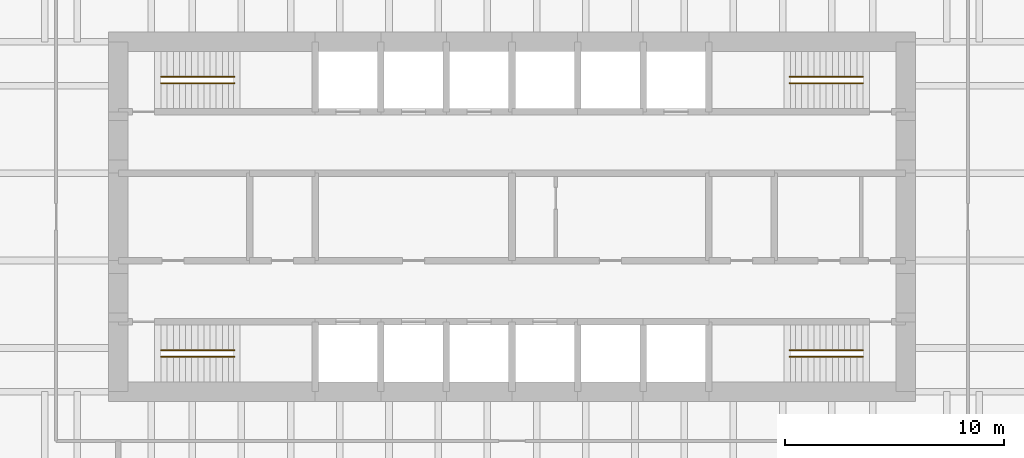
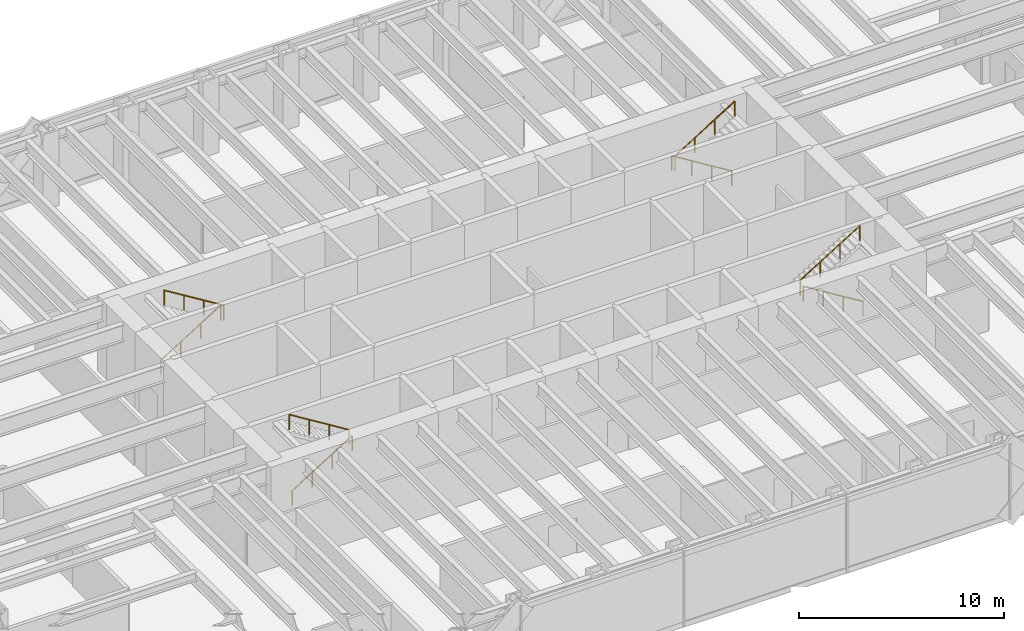
# One storey, part 13 of 13: 8 railings.
"""IFC4 building model written with IfcOpenShell, lengths in metres."""

import ifcopenshell
import ifcopenshell.guid

model = None  # the IFC model being written
_history = None  # IfcOwnerHistory: only IFC2X3 demands one
_inside = {}  # id of a spatial element -> (the spatial element, [elements in it])
_under = {}  # id of a project, library or spatial element -> (it, [spatial elements below it])
_declared = {}  # id of a project -> (the project, [libraries it declares])
_typed = {}  # id of a type object -> (the type object, [elements of that type])
_made_of = {}  # id of a material, layer set ... -> (it, [elements and type objects made of it])


def new_model(schema):
    """Start an empty IFC model of exactly this schema.

    Asked for "IFC4X3", IfcOpenShell would pick the latest addendum, in which some entities
    have other attributes; the version numbers below select the first issue.
    IFC2X3 requires an IfcOwnerHistory on every rooted entity: one is made here for all.
    """
    global model, _history
    if schema == "IFC4X3":
        model = ifcopenshell.file(schema_version=(4, 3, 0, 0))
    else:
        model = ifcopenshell.file(schema=schema)
    _inside.clear()
    _under.clear()
    _declared.clear()
    _typed.clear()
    _made_of.clear()
    _history = None
    if model.schema == "IFC2X3":
        org = make("IfcOrganization", Name="unknown")
        user = make(
            "IfcPersonAndOrganization",
            ThePerson=make("IfcPerson", FamilyName="unknown"),
            TheOrganization=org,
        )
        app = make(
            "IfcApplication",
            ApplicationDeveloper=org,
            Version="unknown",
            ApplicationFullName="unknown",
            ApplicationIdentifier="unknown",
        )
        _history = make(
            "IfcOwnerHistory",
            OwningUser=user,
            OwningApplication=app,
            ChangeAction="ADDED",
            CreationDate=0,
        )
    return model


def make(cls, **values):
    """One entity of the class cls with the attributes given. An attribute that is None is left unset."""
    return model.create_entity(
        cls, **{name: value for name, value in values.items() if value is not None}
    )


def rooted(cls, **values):
    """An entity with a GlobalId (a new one), such as an element, a storey or a relation."""
    return make(cls, GlobalId=ifcopenshell.guid.new(), OwnerHistory=_history, **values)


def si_unit(unit_type, name, prefix=None):
    """IfcSIUnit, for example si_unit("LENGTHUNIT", "METRE", prefix="MILLI")."""
    return make("IfcSIUnit", UnitType=unit_type, Prefix=prefix, Name=name)


def assignment(units):
    """IfcUnitAssignment: the units of a project."""
    return None if units is None else make("IfcUnitAssignment", Units=units)


def point(xyz):
    """IfcCartesianPoint."""
    return None if xyz is None else make("IfcCartesianPoint", Coordinates=xyz)


def direction(xyz):
    """IfcDirection."""
    return None if xyz is None else make("IfcDirection", DirectionRatios=xyz)


def frame(location, z_axis=None, x_axis=None):
    """IfcAxis2Placement3D, a coordinate frame: its origin and axes. An axis left out is left unset."""
    return make(
        "IfcAxis2Placement3D",
        Location=point(location),
        Axis=direction(z_axis),
        RefDirection=direction(x_axis),
    )


def frame_2d(location, x_axis=None):
    """IfcAxis2Placement2D, a coordinate frame in the plane: its origin and x axis."""
    return make(
        "IfcAxis2Placement2D", Location=point(location), RefDirection=direction(x_axis)
    )


def origin():
    """The frame at (0, 0, 0) with its axes left unset."""
    return frame((0.0, 0.0, 0.0))


def origin_2d():
    """The frame at (0, 0) in the plane with its x axis left unset."""
    return frame_2d((0.0, 0.0))


def place(relative_to, where):
    """IfcLocalPlacement: puts the frame where relative to a parent placement (None: the world)."""
    return make(
        "IfcLocalPlacement", PlacementRelTo=relative_to, RelativePlacement=where
    )


def context(
    kind, dimensions, precision=None, world=None, true_north=None, identifier=None
):
    """IfcGeometricRepresentationContext, for example the 3D "Model" context."""
    return make(
        "IfcGeometricRepresentationContext",
        ContextIdentifier=identifier,
        ContextType=kind,
        CoordinateSpaceDimension=dimensions,
        Precision=precision,
        WorldCoordinateSystem=world,
        TrueNorth=true_north,
    )


def subcontext(parent, identifier, kind, view, scale=None):
    """IfcGeometricRepresentationSubContext, for example "Body" below "Model"."""
    return make(
        "IfcGeometricRepresentationSubContext",
        ContextIdentifier=identifier,
        ContextType=kind,
        ParentContext=parent,
        TargetScale=scale,
        TargetView=view,
    )


def project(units=None, contexts=None):
    """IfcProject with its units and contexts."""
    return rooted(
        "IfcProject",
        Name="project",
        RepresentationContexts=contexts,
        UnitsInContext=assignment(units),
    )


def spatial(cls, under=None, at=None, **own):
    """A site, building, storey or space (cls), placed at a placement, below another one or the project."""
    s = rooted(cls, ObjectPlacement=at, **own)
    if under is not None:
        _under.setdefault(under.id(), (under, []))[1].append(s)
    return s


def profile(cls, at=None, kind="AREA", **sizes):
    """A parametric profile (cls). Its sizes go by their IFC names, for example OverallWidth=200.0."""
    return make(cls, ProfileType=kind, Position=at, **sizes)


def circle(**sizes):
    """IfcCircleProfileDef."""
    return profile("IfcCircleProfileDef", **sizes)


def extrude(swept, where, along, depth):
    """IfcExtrudedAreaSolid: the profile swept, set in the frame where, extruded along a direction by depth."""
    return make(
        "IfcExtrudedAreaSolid",
        SweptArea=swept,
        Position=where,
        ExtrudedDirection=direction(along),
        Depth=depth,
    )


def shape(context_of_items, identifier, shape_type, items):
    """IfcShapeRepresentation: the items that make up one representation, for example the "Body"."""
    return make(
        "IfcShapeRepresentation",
        ContextOfItems=context_of_items,
        RepresentationIdentifier=identifier,
        RepresentationType=shape_type,
        Items=items,
    )


def material(Name=None, Category=None):
    """IfcMaterial."""
    return make("IfcMaterial", Name=Name, Category=Category)


def made_of(thing, what):
    """Note that an element or type object is made of a material, layer set ...; save() writes the relation."""
    if what is not None:
        _made_of.setdefault(what.id(), (what, []))[1].append(thing)
    return thing


def type_object(cls, material=None, **own):
    """A type object (cls), such as IfcWallType, which elements share."""
    return made_of(rooted(cls, **own), material)


def element(
    cls,
    number,
    at=None,
    inside=None,
    cuts=None,
    type_object=None,
    material=None,
    context=None,
    identifier="Body",
    shape_type=None,
    held_by="IfcProductDefinitionShape",
    body=None,
    shapes=None,
    **own,
):
    """One element of the class cls, such as IfcWall. Its Tag is "e" and its number.

    at: its placement. inside: the storey or other place that contains it. cuts: it is an
    opening in that element (IfcRelVoidsElement). A single representation is given by context,
    identifier, shape_type and body (its items); several are given by shapes. held_by: the class
    of the entity that holds the representations. save() writes the other relations.
    """
    e = rooted(cls, Tag="e%d" % number, ObjectPlacement=at, **own)
    if body is not None:
        shapes = [shape(context, identifier, shape_type, body)]
    if shapes is not None:
        e.Representation = make(held_by, Representations=shapes)
    if inside is not None:
        _inside.setdefault(inside.id(), (inside, []))[1].append(e)
    if cuts is not None:
        rooted(
            "IfcRelVoidsElement", RelatingBuildingElement=cuts, RelatedOpeningElement=e
        )
    if type_object is not None:
        _typed.setdefault(type_object.id(), (type_object, []))[1].append(e)
    return made_of(e, material)


def aggregate(whole, parts):
    """IfcRelAggregates: a whole, such as a stair, and the parts it consists of."""
    return rooted("IfcRelAggregates", RelatingObject=whole, RelatedObjects=parts)


def save(model, path):
    """Write the relations noted so far, then the file.

    IfcRelAggregates (storeys below a building ...), IfcRelContainedInSpatialStructure (elements
    in a storey), IfcRelDefinesByType, IfcRelAssociatesMaterial and IfcRelDeclares: one each for
    every whole, place, type object, material and project.
    """
    for whole, parts in _under.values():
        aggregate(whole, parts)
    for where, things in _inside.values():
        rooted(
            "IfcRelContainedInSpatialStructure",
            RelatedElements=things,
            RelatingStructure=where,
        )
    for kind, things in _typed.values():
        rooted("IfcRelDefinesByType", RelatedObjects=things, RelatingType=kind)
    for what, things in _made_of.values():
        rooted("IfcRelAssociatesMaterial", RelatedObjects=things, RelatingMaterial=what)
    for by, libraries in _declared.values():
        rooted("IfcRelDeclares", RelatingContext=by, RelatedDefinitions=libraries)
    model.write(path)


model = new_model("IFC4")

# Units and contexts
model_context = context("Model", 3, precision=1e-05, world=origin(), true_north=direction((0.0, 1.0)))
body_context = subcontext(model_context, "Body", "Model", "MODEL_VIEW")
ifc_project = project(units=[si_unit("LENGTHUNIT", "METRE"), si_unit("AREAUNIT", "SQUARE_METRE"), si_unit("VOLUMEUNIT", "CUBIC_METRE"), si_unit("PLANEANGLEUNIT", "RADIAN"), si_unit("MASSUNIT", "GRAM", prefix="KILO")], contexts=[model_context])

# Site, building, storey
site_placement = place(None, origin())
site = spatial("IfcSite", under=ifc_project, at=site_placement, CompositionType="ELEMENT")
building_placement = place(site_placement, origin())
building = spatial("IfcBuilding", under=site, at=building_placement, Name="Rheinbord Bourse Tower", CompositionType="ELEMENT")
storey_placement = place(building_placement, frame((0.0, 0.0, 77.0)))
storey = spatial("IfcBuildingStorey", under=building, at=storey_placement, Name="L16", CompositionType="ELEMENT", Elevation=77.0)

# Railings
ifc_material = material(Name="Steel handrail", Category="steel")
railing_type = type_object("IfcRailingType", Name="HANDRAIL 900", PredefinedType="HANDRAIL", material=ifc_material)
railing_1_placement = place(storey_placement, frame((19.949951171875, 17.60009765625, 0.173095703125)))
element("IfcRailing", 1, at=railing_1_placement, inside=storey, type_object=railing_type, Name="Handrail", PredefinedType="HANDRAIL", context=body_context, shape_type="SweptSolid", body=[
    extrude(circle(Radius=0.02392578125, at=origin_2d()), frame((0.0, 0.0, 0.8759765625), z_axis=(0.850623216509, 0.0, 0.525775754039), x_axis=(0.0, 1.0, 0.0)), (0.0, 0.0, 1.0), 3.9501953125),
    extrude(circle(Radius=0.02099609375, at=origin_2d()), origin(), (0.0, 0.0, 1.0), 0.851806640625),
    extrude(circle(Radius=0.02099609375, at=origin_2d()), frame((1.1201171875, 0.0, 0.6923828125)), (0.0, 0.0, 1.0), 0.851806640625),
    extrude(circle(Radius=0.02099609375, at=origin_2d()), frame((2.239990234375, 0.0, 1.384521484375)), (0.0, 0.0, 1.0), 0.851806640625),
    extrude(circle(Radius=0.02099609375, at=origin_2d()), frame((3.360107421875, 0.0, 2.076904296875)), (0.0, 0.0, 1.0), 0.851806640625),
])
railing_2_placement = place(storey_placement, frame((23.31005859375, 17.89990234375, 2.423095703125)))
element("IfcRailing", 2, at=railing_2_placement, inside=storey, type_object=railing_type, Name="Handrail", PredefinedType="HANDRAIL", context=body_context, shape_type="SweptSolid", body=[
    extrude(circle(Radius=0.02392578125, at=origin_2d()), frame((0.0, 0.0, 0.8759765625), z_axis=(-0.850623216509, 0.0, 0.525775754039), x_axis=(0.0, -1.0, 0.0)), (0.0, 0.0, 1.0), 3.9501953125),
    extrude(circle(Radius=0.02099609375, at=origin_2d()), origin(), (0.0, 0.0, 1.0), 0.851806640625),
    extrude(circle(Radius=0.02099609375, at=origin_2d()), frame((-1.1201171875, 0.0, 0.6923828125)), (0.0, 0.0, 1.0), 0.851806640625),
    extrude(circle(Radius=0.02099609375, at=origin_2d()), frame((-2.239990234375, 0.0, 1.384521484375)), (0.0, 0.0, 1.0), 0.851806640625),
    extrude(circle(Radius=0.02099609375, at=origin_2d()), frame((-3.360107421875, 0.0, 2.076904296875)), (0.0, 0.0, 1.0), 0.851806640625),
])
railing_3_placement = place(storey_placement, frame((19.949951171875, 30.39990234375, 0.173095703125)))
element("IfcRailing", 3, at=railing_3_placement, inside=storey, type_object=railing_type, Name="Handrail", PredefinedType="HANDRAIL", context=body_context, shape_type="SweptSolid", body=[
    extrude(circle(Radius=0.02392578125, at=origin_2d()), frame((0.0, 0.0, 0.8759765625), z_axis=(0.850623216509, 0.0, 0.525775754039), x_axis=(0.0, 1.0, 0.0)), (0.0, 0.0, 1.0), 3.9501953125),
    extrude(circle(Radius=0.02099609375, at=origin_2d()), origin(), (0.0, 0.0, 1.0), 0.851806640625),
    extrude(circle(Radius=0.02099609375, at=origin_2d()), frame((1.1201171875, 0.0, 0.6923828125)), (0.0, 0.0, 1.0), 0.851806640625),
    extrude(circle(Radius=0.02099609375, at=origin_2d()), frame((2.239990234375, 0.0, 1.384521484375)), (0.0, 0.0, 1.0), 0.851806640625),
    extrude(circle(Radius=0.02099609375, at=origin_2d()), frame((3.360107421875, 0.0, 2.076904296875)), (0.0, 0.0, 1.0), 0.851806640625),
])
for number, where, name in (
    (4, (23.31005859375, 30.10009765625, 2.423095703125), "Handrail"),
    (5, (52.050048828125, 17.60009765625, 0.173095703125), "Handrail"),
):
    element("IfcRailing", number, at=place(storey_placement, frame(where)), inside=storey, type_object=railing_type, Name=name, PredefinedType="HANDRAIL", context=body_context, shape_type="SweptSolid", body=[
        extrude(circle(Radius=0.02392578125, at=origin_2d()), frame((0.0, 0.0, 0.8759765625), z_axis=(-0.850623216509, 0.0, 0.525775754039), x_axis=(0.0, -1.0, 0.0)), (0.0, 0.0, 1.0), 3.9501953125),
        extrude(circle(Radius=0.02099609375, at=origin_2d()), origin(), (0.0, 0.0, 1.0), 0.851806640625),
        extrude(circle(Radius=0.02099609375, at=origin_2d()), frame((-1.1201171875, 0.0, 0.6923828125)), (0.0, 0.0, 1.0), 0.851806640625),
        extrude(circle(Radius=0.02099609375, at=origin_2d()), frame((-2.239990234375, 0.0, 1.384521484375)), (0.0, 0.0, 1.0), 0.851806640625),
        extrude(circle(Radius=0.02099609375, at=origin_2d()), frame((-3.360107421875, 0.0, 2.076904296875)), (0.0, 0.0, 1.0), 0.851806640625),
    ])
railing_4_placement = place(storey_placement, frame((48.68994140625, 17.89990234375, 2.423095703125)))
element("IfcRailing", 6, at=railing_4_placement, inside=storey, type_object=railing_type, Name="Handrail", PredefinedType="HANDRAIL", context=body_context, shape_type="SweptSolid", body=[
    extrude(circle(Radius=0.02392578125, at=origin_2d()), frame((0.0, 0.0, 0.8759765625), z_axis=(0.850623216509, 0.0, 0.525775754039), x_axis=(0.0, 1.0, 0.0)), (0.0, 0.0, 1.0), 3.9501953125),
    extrude(circle(Radius=0.02099609375, at=origin_2d()), origin(), (0.0, 0.0, 1.0), 0.851806640625),
    extrude(circle(Radius=0.02099609375, at=origin_2d()), frame((1.1201171875, 0.0, 0.6923828125)), (0.0, 0.0, 1.0), 0.851806640625),
    extrude(circle(Radius=0.02099609375, at=origin_2d()), frame((2.239990234375, 0.0, 1.384521484375)), (0.0, 0.0, 1.0), 0.851806640625),
    extrude(circle(Radius=0.02099609375, at=origin_2d()), frame((3.360107421875, 0.0, 2.076904296875)), (0.0, 0.0, 1.0), 0.851806640625),
])
railing_5_placement = place(storey_placement, frame((52.050048828125, 30.39990234375, 0.173095703125)))
element("IfcRailing", 7, at=railing_5_placement, inside=storey, type_object=railing_type, Name="Handrail", PredefinedType="HANDRAIL", context=body_context, shape_type="SweptSolid", body=[
    extrude(circle(Radius=0.02392578125, at=origin_2d()), frame((0.0, 0.0, 0.8759765625), z_axis=(-0.850623216509, 0.0, 0.525775754039), x_axis=(0.0, -1.0, 0.0)), (0.0, 0.0, 1.0), 3.9501953125),
    extrude(circle(Radius=0.02099609375, at=origin_2d()), origin(), (0.0, 0.0, 1.0), 0.851806640625),
    extrude(circle(Radius=0.02099609375, at=origin_2d()), frame((-1.1201171875, 0.0, 0.6923828125)), (0.0, 0.0, 1.0), 0.851806640625),
    extrude(circle(Radius=0.02099609375, at=origin_2d()), frame((-2.239990234375, 0.0, 1.384521484375)), (0.0, 0.0, 1.0), 0.851806640625),
    extrude(circle(Radius=0.02099609375, at=origin_2d()), frame((-3.360107421875, 0.0, 2.076904296875)), (0.0, 0.0, 1.0), 0.851806640625),
])
railing_6_placement = place(storey_placement, frame((48.68994140625, 30.10009765625, 2.423095703125)))
element("IfcRailing", 8, at=railing_6_placement, inside=storey, type_object=railing_type, Name="Handrail", PredefinedType="HANDRAIL", context=body_context, shape_type="SweptSolid", body=[
    extrude(circle(Radius=0.02392578125, at=origin_2d()), frame((0.0, 0.0, 0.8759765625), z_axis=(0.850623216509, 0.0, 0.525775754039), x_axis=(0.0, 1.0, 0.0)), (0.0, 0.0, 1.0), 3.9501953125),
    extrude(circle(Radius=0.02099609375, at=origin_2d()), origin(), (0.0, 0.0, 1.0), 0.851806640625),
    extrude(circle(Radius=0.02099609375, at=origin_2d()), frame((1.1201171875, 0.0, 0.6923828125)), (0.0, 0.0, 1.0), 0.851806640625),
    extrude(circle(Radius=0.02099609375, at=origin_2d()), frame((2.239990234375, 0.0, 1.384521484375)), (0.0, 0.0, 1.0), 0.851806640625),
    extrude(circle(Radius=0.02099609375, at=origin_2d()), frame((3.360107421875, 0.0, 2.076904296875)), (0.0, 0.0, 1.0), 0.851806640625),
])

save(model, "model.ifc")
